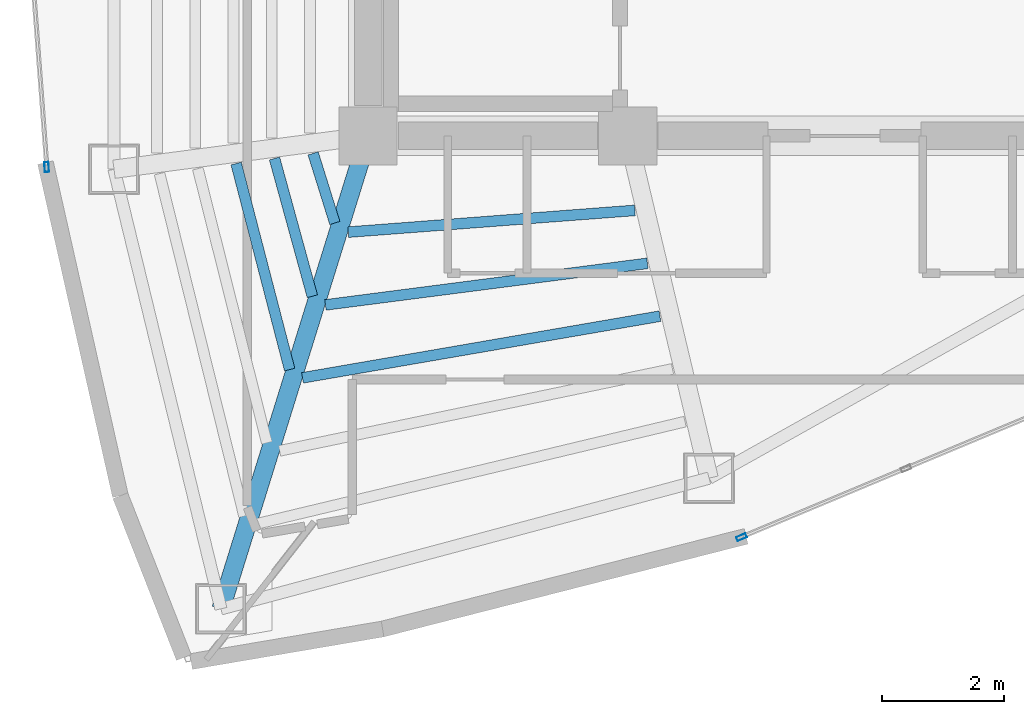
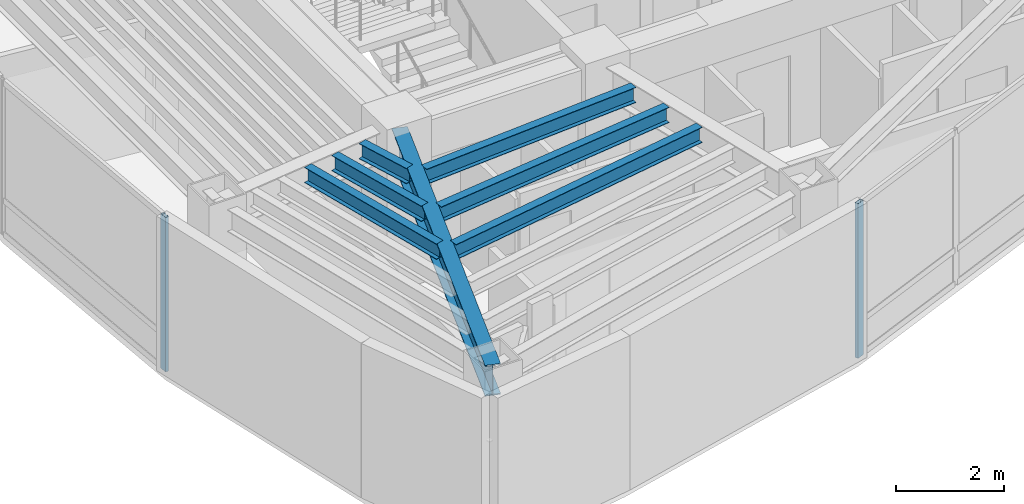
# One storey, part 2 of 15: 7 beams, 2 members, 2 elements without a shape of their own.
"""IFC4 building model written with IfcOpenShell, lengths in metres."""

from ifc_helpers import new_model, si_unit, direction, frame, origin, origin_2d, place, context, subcontext, project, spatial, hollow_rectangle, i_section, extrude, material, layer, layer_set, material_profile, profile_set, type_object, element, aggregate, save


model = new_model("IFC4")

# Units and contexts
model_context = context("Model", 3, precision=1e-05, world=origin(), true_north=direction((0.0, 1.0)))
body_context = subcontext(model_context, "Body", "Model", "MODEL_VIEW")
ifc_project = project(units=[si_unit("LENGTHUNIT", "METRE"), si_unit("AREAUNIT", "SQUARE_METRE"), si_unit("VOLUMEUNIT", "CUBIC_METRE"), si_unit("PLANEANGLEUNIT", "RADIAN"), si_unit("MASSUNIT", "GRAM", prefix="KILO")], contexts=[model_context])

# Site, building, storey
site_placement = place(None, origin())
site = spatial("IfcSite", under=ifc_project, at=site_placement, CompositionType="ELEMENT")
building_placement = place(site_placement, origin())
building = spatial("IfcBuilding", under=site, at=building_placement, Name="Menara Vayukalpa", CompositionType="ELEMENT")
storey_placement = place(building_placement, frame((0.0, 0.0, 250.860107421875)))
storey = spatial("IfcBuildingStorey", under=building, at=storey_placement, Name="L63", CompositionType="ELEMENT", Elevation=250.860107421875)

# Beams
ifc_material_1 = material(Name="Steel S355", Category="steel")
ifc_material_profile_1 = material_profile(ifc_material_1, i_section(OverallWidth=0.300048828125, OverallDepth=0.699951171875, WebThickness=0.012939453125, FlangeThickness=0.02392578125, at=origin_2d()), Name="WF 700x300x13x24")
ifc_profile_set_1 = profile_set([ifc_material_profile_1], Name="Steel S355")
beam_type_1 = type_object("IfcBeamType", Name="BM-PG5", PredefinedType="BEAM", material=ifc_profile_set_1)
beam_1_placement = place(storey_placement, frame((17.7255859375, 16.961181640625, 3.14990234375), z_axis=(-0.297213792842, -0.954810955815, 0.0), x_axis=(0.954810955815, -0.297213792842, 0.0)))
element("IfcBeam", 1, at=beam_1_placement, inside=storey, type_object=beam_type_1, Name="L63 Primary Radial Girder RG07", PredefinedType="BEAM", context=body_context, shape_type="SweptSolid", body=[
    extrude(i_section(OverallWidth=0.300048828125, OverallDepth=0.699951171875, WebThickness=0.012939453125, FlangeThickness=0.02392578125, at=origin_2d()), origin(), (0.0, 0.0, 1.0), 7.861083984375),
])
ifc_material_2 = material(Name="Steel S355", Category="steel")
ifc_material_profile_2 = material_profile(ifc_material_2, i_section(OverallWidth=0.175048828125, OverallDepth=0.35009765625, WebThickness=0.007080078125, FlangeThickness=0.010986328125, at=origin_2d()), Name="WF 350x175x7x11")
ifc_profile_set_2 = profile_set([ifc_material_profile_2], Name="Steel S355")
beam_type_2 = type_object("IfcBeamType", Name="BM-SJ3", PredefinedType="JOIST", material=ifc_profile_set_2)
beam_2_placement = place(storey_placement, frame((16.8984375, 16.91259765625, 3.324951171875), z_axis=(0.298018933644, -0.954559958929, 0.0), x_axis=(0.954559958929, 0.298018933644, 0.0)))
element("IfcBeam", 2, at=beam_2_placement, inside=storey, type_object=beam_type_2, Name="L63 Secondary Floor Joist SJ06-1", PredefinedType="JOIST", context=body_context, shape_type="SweptSolid", body=[
    extrude(i_section(OverallWidth=0.175048828125, OverallDepth=0.35009765625, WebThickness=0.007080078125, FlangeThickness=0.010986328125, at=origin_2d()), origin(), (0.0, 0.0, 1.0), 1.1943359375),
])
beam_3_placement = place(storey_placement, frame((16.2666015625, 16.82861328125, 3.324951171875), z_axis=(0.264918721837, -0.9642707456, 0.0), x_axis=(0.9642707456, 0.264918721837, 0.0)))
element("IfcBeam", 3, at=beam_3_placement, inside=storey, type_object=beam_type_2, Name="L63 Secondary Floor Joist SJ06-2", PredefinedType="JOIST", context=body_context, shape_type="SweptSolid", body=[
    extrude(i_section(OverallWidth=0.175048828125, OverallDepth=0.35009765625, WebThickness=0.007080078125, FlangeThickness=0.010986328125, at=origin_2d()), origin(), (0.0, 0.0, 1.0), 2.3388671875),
])
beam_4_placement = place(storey_placement, frame((15.63818359375, 16.745849609375, 3.324951171875), z_axis=(0.251492114719, -0.96785934734, 0.0), x_axis=(0.96785934734, 0.251492114719, 0.0)))
element("IfcBeam", 4, at=beam_4_placement, inside=storey, type_object=beam_type_2, Name="L63 Secondary Floor Joist SJ06-3", PredefinedType="JOIST", context=body_context, shape_type="SweptSolid", body=[
    extrude(i_section(OverallWidth=0.175048828125, OverallDepth=0.35009765625, WebThickness=0.007080078125, FlangeThickness=0.010986328125, at=origin_2d()), origin(), (0.0, 0.0, 1.0), 3.485107421875),
])
beam_5_placement = place(storey_placement, frame((17.474609375, 15.623046875, 3.324951171875), z_axis=(0.997135697669, 0.075633328852, 0.0), x_axis=(-0.075633328852, 0.997135697669, 0.0)))
element("IfcBeam", 5, at=beam_5_placement, inside=storey, type_object=beam_type_2, Name="L63 Secondary Floor Joist SJ07-1", PredefinedType="JOIST", context=body_context, shape_type="SweptSolid", body=[
    extrude(i_section(OverallWidth=0.175048828125, OverallDepth=0.35009765625, WebThickness=0.007080078125, FlangeThickness=0.010986328125, at=origin_2d()), origin(), (0.0, 0.0, 1.0), 4.706298828125),
])
beam_6_placement = place(storey_placement, frame((17.099853515625, 14.43115234375, 3.324951171875), z_axis=(0.991763759233, 0.128080622546, 0.0), x_axis=(-0.128080622546, 0.991763759233, 0.0)))
element("IfcBeam", 6, at=beam_6_placement, inside=storey, type_object=beam_type_2, Name="L63 Secondary Floor Joist SJ07-2", PredefinedType="JOIST", context=body_context, shape_type="SweptSolid", body=[
    extrude(i_section(OverallWidth=0.175048828125, OverallDepth=0.35009765625, WebThickness=0.007080078125, FlangeThickness=0.010986328125, at=origin_2d()), origin(), (0.0, 0.0, 1.0), 5.316162109375),
])
beam_7_placement = place(storey_placement, frame((16.724853515625, 13.2373046875, 3.324951171875), z_axis=(0.985440172071, 0.170022549294, 0.0), x_axis=(-0.170022549294, 0.985440172071, 0.0)))
element("IfcBeam", 7, at=beam_7_placement, inside=storey, type_object=beam_type_2, Name="L63 Secondary Floor Joist SJ07-3", PredefinedType="JOIST", context=body_context, shape_type="SweptSolid", body=[
    extrude(i_section(OverallWidth=0.175048828125, OverallDepth=0.35009765625, WebThickness=0.007080078125, FlangeThickness=0.010986328125, at=origin_2d()), origin(), (0.0, 0.0, 1.0), 5.93896484375),
])

# Curtain wall, member
ifc_material_3 = material(Name="Anodised Terracotta Aluminium Alloy 6063-T6", Category="masonry")
ifc_layer = layer(ifc_material_3, 0.1650390625)
ifc_layer_set = layer_set([ifc_layer], Name="Anodised Terracotta Aluminium Alloy 6063-T6")
curtain_wall_type = type_object("IfcCurtainWallType", Name="CW-CW6", PredefinedType="USERDEFINED", material=ifc_layer_set)
curtain_wall_1_placement = place(storey_placement, origin())
curtain_wall_1 = element("IfcCurtainWall", 8, at=curtain_wall_1_placement, inside=storey, type_object=curtain_wall_type, Name="L63 Observation and Executive Curtain Wall CW6 11", ObjectType="UNITISED", PredefinedType="USERDEFINED")
ifc_material_4 = material(Name="Anodised Terracotta Aluminium Alloy 6063-T6", Category="masonry")
ifc_material_profile_3 = material_profile(ifc_material_4, hollow_rectangle(XDim=0.070068359375, YDim=0.1650390625, WallThickness=0.00390625, at=origin_2d()), Name="ALU 70x165x4")
ifc_profile_set_3 = profile_set([ifc_material_profile_3], Name="Anodised Terracotta Aluminium Alloy 6063-T6")
member_type = type_object("IfcMemberType", Name="CWM-CW6", PredefinedType="MULLION", material=ifc_profile_set_3)
member_1_placement = place(storey_placement, frame((12.536376953125, 16.688232421875, 0.0), z_axis=(0.0, 0.0, 1.0), x_axis=(0.997199344663, 0.074789484574, 0.0)))
member_1 = element("IfcMember", 9, at=member_1_placement, type_object=member_type, Name="CW6 mullion 2", PredefinedType="MULLION", context=body_context, shape_type="SweptSolid", body=[
    extrude(hollow_rectangle(XDim=0.070068359375, YDim=0.1650390625, WallThickness=0.00390625, at=origin_2d()), origin(), (0.0, 0.0, 1.0), 3.5),
])
aggregate(curtain_wall_1, [member_1])

curtain_wall_2_placement = place(storey_placement, origin())
curtain_wall_2 = element("IfcCurtainWall", 10, at=curtain_wall_2_placement, inside=storey, type_object=curtain_wall_type, Name="L63 Observation and Executive Curtain Wall CW6 16", ObjectType="UNITISED", PredefinedType="USERDEFINED")
member_2_placement = place(storey_placement, frame((23.913330078125, 10.62841796875, 0.0), z_axis=(0.0, 0.0, 1.0), x_axis=(-0.385899911703, 0.922540653927, 0.0)))
member_2 = element("IfcMember", 11, at=member_2_placement, type_object=member_type, Name="CW6 mullion 1", PredefinedType="MULLION", context=body_context, shape_type="SweptSolid", body=[
    extrude(hollow_rectangle(XDim=0.070068359375, YDim=0.1650390625, WallThickness=0.00390625, at=origin_2d()), origin(), (0.0, 0.0, 1.0), 3.5),
])
aggregate(curtain_wall_2, [member_2])

save(model, "model.ifc")
